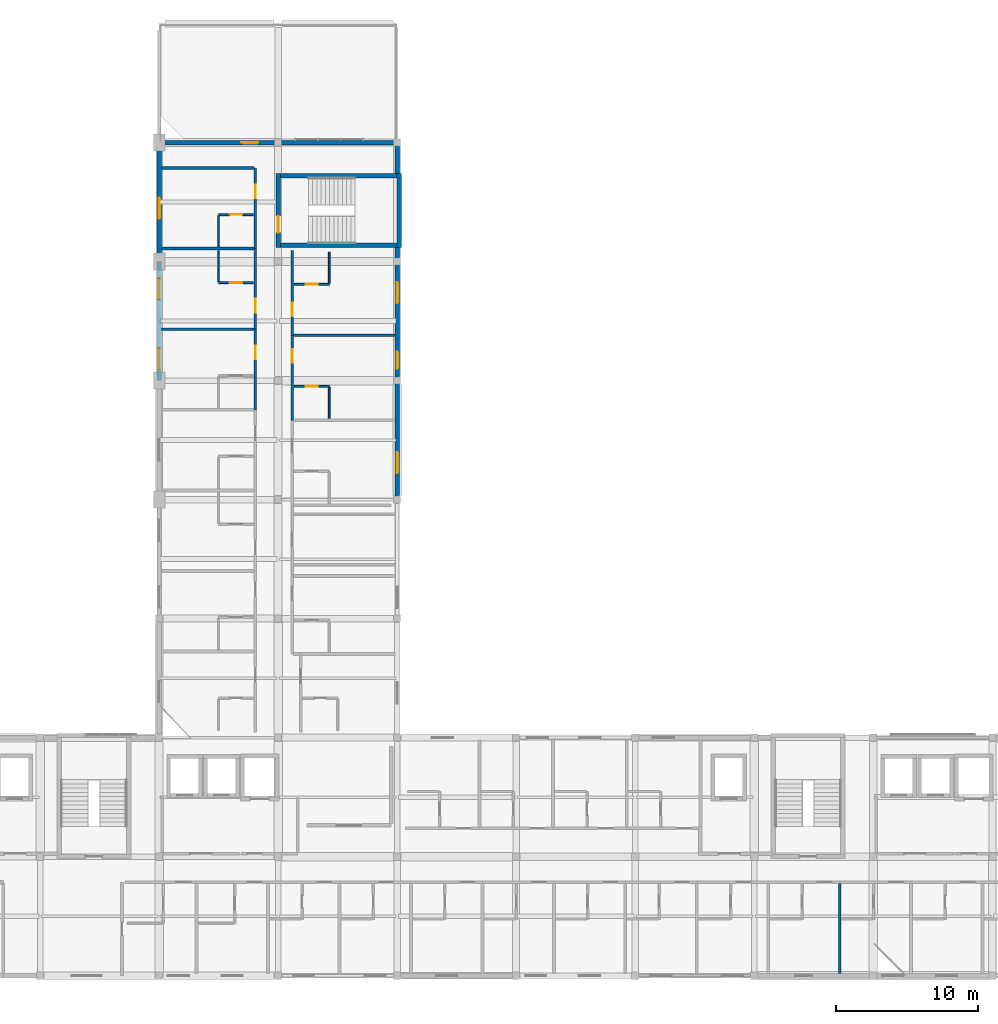
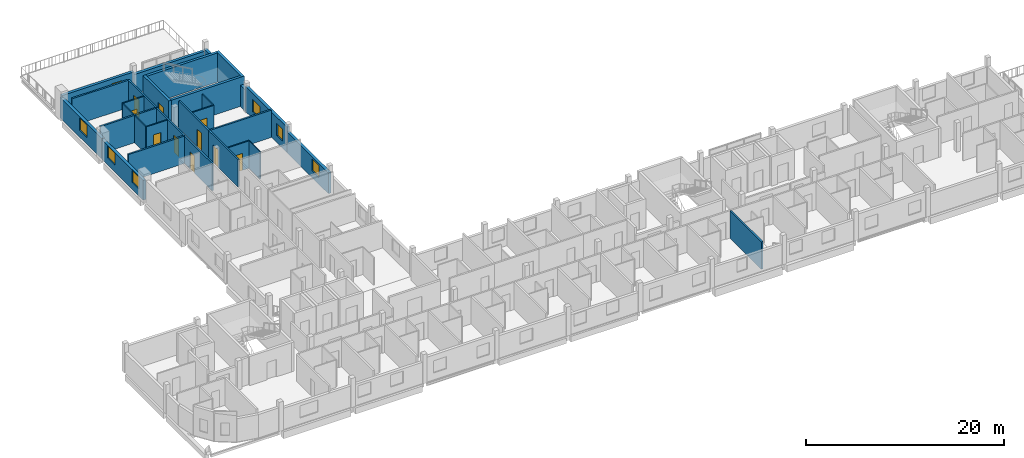
# One storey, part 14 of 20: 30 walls, 11 doors, 6 windows, 17 openings.
"""IFC4 building model written with IfcOpenShell, lengths in metres."""

from ifc_helpers import new_model, si_unit, derived_unit, direction, frame, frame_2d, origin, place, context, subcontext, project, spatial, rectangle, extrude, material, layer, layer_set, type_object, element, fill, save


model = new_model("IFC4")

# Units and contexts
model_context = context("Model", 3, precision=1e-05, world=origin(), true_north=direction((0.0, 1.0)))
body_context = subcontext(model_context, "Body", "Model", "MODEL_VIEW")
ifc_project = project(units=[si_unit("LENGTHUNIT", "METRE"), si_unit("AREAUNIT", "SQUARE_METRE"), si_unit("VOLUMEUNIT", "CUBIC_METRE"), si_unit("PLANEANGLEUNIT", "RADIAN"), si_unit("MASSUNIT", "GRAM", prefix="KILO"), derived_unit("THERMALTRANSMITTANCEUNIT", [(si_unit("POWERUNIT", "WATT"), 1), (si_unit("LENGTHUNIT", "METRE"), -2), (si_unit("THERMODYNAMICTEMPERATUREUNIT", "KELVIN"), -1)])], contexts=[model_context])

# Site, building, storey
site_placement = place(None, origin())
site = spatial("IfcSite", under=ifc_project, at=site_placement, CompositionType="ELEMENT")
building_placement = place(site_placement, origin())
building = spatial("IfcBuilding", under=site, at=building_placement, Name="Barrovel Congress Hotel", CompositionType="ELEMENT")
storey_placement = place(building_placement, frame((0.0, 0.0, 39.89990234375)))
storey = spatial("IfcBuildingStorey", under=building, at=storey_placement, Name="L10", CompositionType="ELEMENT", Elevation=39.89990234375)

# Walls
ifc_material_1 = material(Name="Fired Clay Brick Masonry", Category="masonry")
ifc_layer_1 = layer(ifc_material_1, 0.320068359375)
ifc_layer_set_1 = layer_set([ifc_layer_1], Name="Fired Clay Brick Masonry")
wall_type_1 = type_object("IfcWallType", Name="EW-BRK320", PredefinedType="STANDARD", material=ifc_layer_set_1)
wall_1_placement = place(storey_placement, frame((50.39990234375, 60.800048828125, 0.0), z_axis=(0.0, 0.0, 1.0), x_axis=(0.0, 1.0, 0.0)))
element("IfcWall", 1, at=wall_1_placement, inside=storey, type_object=wall_type_1, Name="EW:L10:HW-E-2", PredefinedType="STANDARD", context=body_context, shape_type="SweptSolid", body=[
    extrude(rectangle(XDim=2.199951171875, YDim=0.320068359375, at=frame_2d((1.10009765625, 0.0))), origin(), (0.0, 0.0, 1.0), 2.630126953125),
])
wall_2_placement = place(storey_placement, frame((50.39990234375, 63.0, 0.0), z_axis=(0.0, 0.0, 1.0), x_axis=(-1.0, 0.0, 0.0)))
element("IfcWall", 2, at=wall_2_placement, inside=storey, type_object=wall_type_1, Name="EW:L10:HW-N", PredefinedType="STANDARD", context=body_context, shape_type="SweptSolid", body=[
    extrude(rectangle(XDim=8.39990234375, YDim=0.320068359375, at=frame_2d((4.199951171875, 0.0))), origin(), (0.0, 0.0, 1.0), 2.43017578125),
])

# Wall, opening, window
wall_3_placement = place(storey_placement, frame((50.39990234375, 37.800048828125, 0.0), z_axis=(0.0, 0.0, 1.0), x_axis=(0.0, 1.0, 0.0)))
wall_3 = element("IfcWall", 3, at=wall_3_placement, inside=storey, type_object=wall_type_1, Name="EW:L10:HW-E-1:P02", PredefinedType="STANDARD", context=body_context, shape_type="SweptSolid", body=[
    extrude(rectangle(XDim=8.39990234375, YDim=0.320068359375, at=frame_2d((4.199951171875, 0.0))), origin(), (0.0, 0.0, 1.0), 2.580078125),
])
opening_1_placement = place(wall_3_placement, frame((1.85009765625, 0.0, 0.85009765625)))
opening_1 = element("IfcOpeningElement", 4, at=opening_1_placement, cuts=wall_3, Name="Opening WN-07", PredefinedType="OPENING", context=body_context, shape_type="SweptSolid", body=[
    extrude(rectangle(XDim=1.5, YDim=1.5, at=frame_2d((0.75, 0.75))), frame((0.0, 0.169921875, 0.0), z_axis=(0.0, -1.0, 0.0), x_axis=(1.0, 0.0, 0.0)), (0.0, 0.0, 1.0), 0.340087890625),
])
ifc_material_2 = material(Name="Double Low-E Insulated Glazing", Category="glass")
window_type_1 = type_object("IfcWindowType", Name="WIN-WN-07", PartitioningType="SINGLE_PANEL", PredefinedType="WINDOW", material=ifc_material_2)
window_1_placement = place(opening_1_placement, origin())
window_1 = element("IfcWindow", 5, at=window_1_placement, inside=storey, type_object=window_type_1, Name="WIN:L10:U34", OverallHeight=1.5, OverallWidth=1.5, PartitioningType="SINGLE_PANEL", PredefinedType="WINDOW", context=body_context, shape_type="SweptSolid", body=[
    extrude(rectangle(XDim=1.5, YDim=1.5, at=frame_2d((0.75, 0.75))), frame((0.0, 0.030029296875, 0.0), z_axis=(0.0, -1.0, 0.0), x_axis=(1.0, 0.0, 0.0)), (0.0, 0.0, 1.0), 0.06005859375),
])
fill(opening_1, window_1)

# Wall, openings, windows
wall_4_placement = place(storey_placement, frame((50.39990234375, 46.199951171875, 0.0), z_axis=(0.0, 0.0, 1.0), x_axis=(0.0, 1.0, 0.0)))
wall_4 = element("IfcWall", 6, at=wall_4_placement, inside=storey, type_object=wall_type_1, Name="EW:L10:HW-E-1:P03", PredefinedType="STANDARD", context=body_context, shape_type="SweptSolid", body=[
    extrude(rectangle(XDim=8.400146484375, YDim=0.320068359375, at=frame_2d((4.2001953125, 0.0))), origin(), (0.0, 0.0, 1.0), 3.1259765625),
])
opening_2_placement = place(wall_4_placement, frame((0.85009765625, 0.0, 0.85009765625)))
opening_2 = element("IfcOpeningElement", 7, at=opening_2_placement, cuts=wall_4, Name="Opening WN-06", PredefinedType="OPENING", context=body_context, shape_type="SweptSolid", body=[
    extrude(rectangle(XDim=1.199951171875, YDim=1.5, at=frame_2d((0.60009765625, 0.75))), frame((0.0, 0.169921875, 0.0), z_axis=(0.0, -1.0, 0.0), x_axis=(1.0, 0.0, 0.0)), (0.0, 0.0, 1.0), 0.340087890625),
])
opening_3_placement = place(wall_4_placement, frame((5.449951171875, 0.0, 0.85009765625)))
opening_3 = element("IfcOpeningElement", 8, at=opening_3_placement, cuts=wall_4, Name="Opening WN-07", PredefinedType="OPENING", context=body_context, shape_type="SweptSolid", body=[
    extrude(rectangle(XDim=1.5, YDim=1.5, at=frame_2d((0.75, 0.75))), frame((0.0, 0.169921875, 0.0), z_axis=(0.0, -1.0, 0.0), x_axis=(1.0, 0.0, 0.0)), (0.0, 0.0, 1.0), 0.340087890625),
])
window_type_2 = type_object("IfcWindowType", Name="WIN-WN-06", PartitioningType="SINGLE_PANEL", PredefinedType="WINDOW", material=ifc_material_2)
window_2_placement = place(opening_2_placement, origin())
window_2 = element("IfcWindow", 9, at=window_2_placement, inside=storey, type_object=window_type_2, Name="WIN:L10:U35", OverallHeight=1.5, OverallWidth=1.199951171875, PartitioningType="SINGLE_PANEL", PredefinedType="WINDOW", context=body_context, shape_type="SweptSolid", body=[
    extrude(rectangle(XDim=1.199951171875, YDim=1.5, at=frame_2d((0.60009765625, 0.75))), frame((0.0, 0.030029296875, 0.0), z_axis=(0.0, -1.0, 0.0), x_axis=(1.0, 0.0, 0.0)), (0.0, 0.0, 1.0), 0.06005859375),
])
fill(opening_2, window_2)
window_3_placement = place(opening_3_placement, origin())
window_3 = element("IfcWindow", 10, at=window_3_placement, inside=storey, type_object=window_type_1, Name="WIN:L10:U36", OverallHeight=1.5, OverallWidth=1.5, PartitioningType="SINGLE_PANEL", PredefinedType="WINDOW", context=body_context, shape_type="SweptSolid", body=[
    extrude(rectangle(XDim=1.5, YDim=1.5, at=frame_2d((0.75, 0.75))), frame((0.0, 0.030029296875, 0.0), z_axis=(0.0, -1.0, 0.0), x_axis=(1.0, 0.0, 0.0)), (0.0, 0.0, 1.0), 0.06005859375),
])
fill(opening_3, window_3)

# Wall
wall_5_placement = place(storey_placement, frame((50.39990234375, 54.60009765625, 0.0), z_axis=(0.0, 0.0, 1.0), x_axis=(0.0, 1.0, 0.0)))
element("IfcWall", 11, at=wall_5_placement, inside=storey, type_object=wall_type_1, Name="EW:L10:HW-E-1:P04", PredefinedType="STANDARD", context=body_context, shape_type="SweptSolid", body=[
    extrude(rectangle(XDim=1.0, YDim=0.320068359375, at=frame_2d((0.5, 0.0))), origin(), (0.0, 0.0, 1.0), 2.630126953125),
])

# Wall, opening, door
wall_6_placement = place(storey_placement, frame((42.0, 63.0, 0.0), z_axis=(0.0, 0.0, 1.0), x_axis=(-1.0, 0.0, 0.0)))
wall_6 = element("IfcWall", 12, at=wall_6_placement, inside=storey, type_object=wall_type_1, Name="EW:L10:HW-N:P02", PredefinedType="STANDARD", context=body_context, shape_type="SweptSolid", body=[
    extrude(rectangle(XDim=8.39990234375, YDim=0.320068359375, at=frame_2d((4.199951171875, 0.0))), origin(), (0.0, 0.0, 1.0), 2.780029296875),
])
opening_4_placement = place(wall_6_placement, frame((2.599853515625, 0.0, 0.0), z_axis=(0.0, 0.0, 1.0), x_axis=(-1.0, 0.0, 0.0)))
opening_4 = element("IfcOpeningElement", 13, at=opening_4_placement, cuts=wall_6, Name="Opening ED-04", PredefinedType="OPENING", context=body_context, shape_type="SweptSolid", body=[
    extrude(rectangle(XDim=1.199951171875, YDim=2.199951171875, at=frame_2d((0.60009765625, 1.10009765625))), frame((0.0, 0.169921875, 0.0), z_axis=(0.0, -1.0, 0.0), x_axis=(1.0, 0.0, 0.0)), (0.0, 0.0, 1.0), 0.340087890625),
])
ifc_material_3 = material(Name="Anodised Aluminium Glazed Door", Category="aluminium")
door_type_1 = type_object("IfcDoorType", Name="EDR-ED-04", OperationType="NOTDEFINED", PredefinedType="DOOR", material=ifc_material_3)
door_1_placement = place(opening_4_placement, origin())
door_1 = element("IfcDoor", 14, at=door_1_placement, inside=storey, type_object=door_type_1, Name="L10 North Setback Terrace Door", OperationType="SINGLE_SWING_RIGHT", OverallHeight=2.199951171875, OverallWidth=1.199951171875, PredefinedType="DOOR", context=body_context, shape_type="SweptSolid", body=[
    extrude(rectangle(XDim=1.199951171875, YDim=2.199951171875, at=frame_2d((0.60009765625, 1.10009765625))), frame((0.0, 0.02490234375, 0.0), z_axis=(0.0, -1.0, 0.0), x_axis=(1.0, 0.0, 0.0)), (0.0, 0.0, 1.0), 0.050048828125),
])
fill(opening_4, door_1)

# Wall, opening, window
wall_7_placement = place(storey_placement, frame((33.60009765625, 63.0, 0.0), z_axis=(0.0, 0.0, 1.0), x_axis=(0.0, -1.0, 0.0)))
wall_7 = element("IfcWall", 15, at=wall_7_placement, inside=storey, type_object=wall_type_1, Name="EW:L10:HW-W:P01", PredefinedType="STANDARD", context=body_context, shape_type="SweptSolid", body=[
    extrude(rectangle(XDim=8.39990234375, YDim=0.320068359375, at=frame_2d((4.199951171875, 0.0))), origin(), (0.0, 0.0, 1.0), 2.530029296875),
])
opening_5_placement = place(wall_7_placement, frame((3.892822265625, 0.0, 0.85009765625)))
opening_5 = element("IfcOpeningElement", 16, at=opening_5_placement, cuts=wall_7, Name="Opening WN-07", PredefinedType="OPENING", context=body_context, shape_type="SweptSolid", body=[
    extrude(rectangle(XDim=1.5, YDim=1.5, at=frame_2d((0.75, 0.75))), frame((0.0, 0.169921875, 0.0), z_axis=(0.0, -1.0, 0.0), x_axis=(1.0, 0.0, 0.0)), (0.0, 0.0, 1.0), 0.340087890625),
])
window_4_placement = place(opening_5_placement, origin())
window_4 = element("IfcWindow", 17, at=window_4_placement, inside=storey, type_object=window_type_1, Name="WIN:L10:U31", OverallHeight=1.5, OverallWidth=1.5, PartitioningType="SINGLE_PANEL", PredefinedType="WINDOW", context=body_context, shape_type="SweptSolid", body=[
    extrude(rectangle(XDim=1.5, YDim=1.5, at=frame_2d((0.75, 0.75))), frame((0.0, 0.030029296875, 0.0), z_axis=(0.0, -1.0, 0.0), x_axis=(1.0, 0.0, 0.0)), (0.0, 0.0, 1.0), 0.06005859375),
])
fill(opening_5, window_4)

# Wall, openings, windows
wall_8_placement = place(storey_placement, frame((33.60009765625, 54.60009765625, 0.0), z_axis=(0.0, 0.0, 1.0), x_axis=(0.0, -1.0, 0.0)))
wall_8 = element("IfcWall", 18, at=wall_8_placement, inside=storey, type_object=wall_type_1, Name="EW:L10:HW-W:P02", PredefinedType="STANDARD", context=body_context, shape_type="SweptSolid", body=[
    extrude(rectangle(XDim=8.400146484375, YDim=0.320068359375, at=frame_2d((4.2001953125, 0.0))), origin(), (0.0, 0.0, 1.0), 2.43017578125),
])
opening_6_placement = place(wall_8_placement, frame((6.1142578125, 0.0, 0.85009765625)))
opening_6 = element("IfcOpeningElement", 19, at=opening_6_placement, cuts=wall_8, Name="Opening WN-07", PredefinedType="OPENING", context=body_context, shape_type="SweptSolid", body=[
    extrude(rectangle(XDim=1.5, YDim=1.5, at=frame_2d((0.75, 0.75))), frame((0.0, 0.169921875, 0.0), z_axis=(0.0, -1.0, 0.0), x_axis=(1.0, 0.0, 0.0)), (0.0, 0.0, 1.0), 0.340087890625),
])
opening_7_placement = place(wall_8_placement, frame((1.178466796875, 0.0, 0.85009765625)))
opening_7 = element("IfcOpeningElement", 20, at=opening_7_placement, cuts=wall_8, Name="Opening WN-07", PredefinedType="OPENING", context=body_context, shape_type="SweptSolid", body=[
    extrude(rectangle(XDim=1.5, YDim=1.5, at=frame_2d((0.75, 0.75))), frame((0.0, 0.169921875, 0.0), z_axis=(0.0, -1.0, 0.0), x_axis=(1.0, 0.0, 0.0)), (0.0, 0.0, 1.0), 0.340087890625),
])
window_5_placement = place(opening_6_placement, origin())
window_5 = element("IfcWindow", 21, at=window_5_placement, inside=storey, type_object=window_type_1, Name="WIN:L10:U29", OverallHeight=1.5, OverallWidth=1.5, PartitioningType="SINGLE_PANEL", PredefinedType="WINDOW", context=body_context, shape_type="SweptSolid", body=[
    extrude(rectangle(XDim=1.5, YDim=1.5, at=frame_2d((0.75, 0.75))), frame((0.0, 0.030029296875, 0.0), z_axis=(0.0, -1.0, 0.0), x_axis=(1.0, 0.0, 0.0)), (0.0, 0.0, 1.0), 0.06005859375),
])
fill(opening_6, window_5)
window_6_placement = place(opening_7_placement, origin())
window_6 = element("IfcWindow", 22, at=window_6_placement, inside=storey, type_object=window_type_1, Name="WIN:L10:U30", OverallHeight=1.5, OverallWidth=1.5, PartitioningType="SINGLE_PANEL", PredefinedType="WINDOW", context=body_context, shape_type="SweptSolid", body=[
    extrude(rectangle(XDim=1.5, YDim=1.5, at=frame_2d((0.75, 0.75))), frame((0.0, 0.030029296875, 0.0), z_axis=(0.0, -1.0, 0.0), x_axis=(1.0, 0.0, 0.0)), (0.0, 0.0, 1.0), 0.06005859375),
])
fill(opening_7, window_6)

# Wall, opening, door
ifc_material_4 = material(Name="Gypsum Acoustic Stud", Category="gypsum")
ifc_layer_2 = layer(ifc_material_4, 0.179931640625)
ifc_layer_set_2 = layer_set([ifc_layer_2], Name="Gypsum Acoustic Stud")
wall_type_2 = type_object("IfcWallType", Name="PW-ACU-180", PredefinedType="PARTITIONING", material=ifc_layer_set_2)
wall_9_placement = place(storey_placement, frame((40.39990234375, 44.142822265625, 0.0), z_axis=(0.0, 0.0, 1.0), x_axis=(0.0, 1.0, 0.0)))
wall_9 = element("IfcWall", 23, at=wall_9_placement, inside=storey, type_object=wall_type_2, Name="PW:L10:U29:COR", PredefinedType="PARTITIONING", context=body_context, shape_type="SweptSolid", body=[
    extrude(rectangle(XDim=5.685791015625, YDim=0.179931640625, at=frame_2d((2.8427734375, 0.0))), origin(), (0.0, 0.0, 1.0), 3.375),
])
opening_8_placement = place(wall_9_placement, frame((3.5478515625, 0.0, 0.0)))
opening_8 = element("IfcOpeningElement", 24, at=opening_8_placement, cuts=wall_9, Name="Opening ID-HTL", PredefinedType="OPENING", context=body_context, shape_type="SweptSolid", body=[
    extrude(rectangle(XDim=0.9599609375, YDim=2.14990234375, at=frame_2d((0.47998046875, 1.074951171875))), frame((0.0, 0.10009765625, 0.0), z_axis=(0.0, -1.0, 0.0), x_axis=(1.0, 0.0, 0.0)), (0.0, 0.0, 1.0), 0.199951171875),
])
ifc_material_5 = material(Name="Solid Oak Acoustic Timber Door", Category="wood")
door_type_2 = type_object("IfcDoorType", Name="IDR-ID-HTL", OperationType="NOTDEFINED", PredefinedType="DOOR", material=ifc_material_5)
door_2_placement = place(opening_8_placement, origin())
door_2 = element("IfcDoor", 25, at=door_2_placement, inside=storey, type_object=door_type_2, Name="DR:L10:U29:ENT", OperationType="SINGLE_SWING_RIGHT", OverallHeight=2.14990234375, OverallWidth=0.9599609375, PredefinedType="DOOR", context=body_context, shape_type="SweptSolid", body=[
    extrude(rectangle(XDim=0.9599609375, YDim=2.14990234375, at=frame_2d((0.47998046875, 1.074951171875))), frame((0.0, 0.02490234375, 0.0), z_axis=(0.0, -1.0, 0.0), x_axis=(1.0, 0.0, 0.0)), (0.0, 0.0, 1.0), 0.050048828125),
])
fill(opening_8, door_2)

wall_10_placement = place(storey_placement, frame((40.39990234375, 49.82861328125, 0.0), z_axis=(0.0, 0.0, 1.0), x_axis=(0.0, 1.0, 0.0)))
wall_10 = element("IfcWall", 26, at=wall_10_placement, inside=storey, type_object=wall_type_2, Name="PW:L10:U30:COR", PredefinedType="PARTITIONING", context=body_context, shape_type="SweptSolid", body=[
    extrude(rectangle(XDim=5.685791015625, YDim=0.179931640625, at=frame_2d((2.8427734375, 0.0))), origin(), (0.0, 0.0, 1.0), 3.375),
])
opening_9_placement = place(wall_10_placement, frame((1.177978515625, 0.0, 0.0)))
opening_9 = element("IfcOpeningElement", 27, at=opening_9_placement, cuts=wall_10, Name="Opening ID-HTL", PredefinedType="OPENING", context=body_context, shape_type="SweptSolid", body=[
    extrude(rectangle(XDim=0.9599609375, YDim=2.14990234375, at=frame_2d((0.47998046875, 1.074951171875))), frame((0.0, 0.10009765625, 0.0), z_axis=(0.0, -1.0, 0.0), x_axis=(1.0, 0.0, 0.0)), (0.0, 0.0, 1.0), 0.199951171875),
])
door_3_placement = place(opening_9_placement, origin())
door_3 = element("IfcDoor", 28, at=door_3_placement, inside=storey, type_object=door_type_2, Name="DR:L10:U30:ENT", OperationType="SINGLE_SWING_RIGHT", OverallHeight=2.14990234375, OverallWidth=0.9599609375, PredefinedType="DOOR", context=body_context, shape_type="SweptSolid", body=[
    extrude(rectangle(XDim=0.9599609375, YDim=2.14990234375, at=frame_2d((0.47998046875, 1.074951171875))), frame((0.0, 0.02490234375, 0.0), z_axis=(0.0, -1.0, 0.0), x_axis=(1.0, 0.0, 0.0)), (0.0, 0.0, 1.0), 0.050048828125),
])
fill(opening_9, door_3)

wall_11_placement = place(storey_placement, frame((40.39990234375, 55.514404296875, 0.0), z_axis=(0.0, 0.0, 1.0), x_axis=(0.0, 1.0, 0.0)))
wall_11 = element("IfcWall", 29, at=wall_11_placement, inside=storey, type_object=wall_type_2, Name="PW:L10:U31:COR", PredefinedType="PARTITIONING", context=body_context, shape_type="SweptSolid", body=[
    extrude(rectangle(XDim=5.685546875, YDim=0.179931640625, at=frame_2d((2.8427734375, 0.0))), origin(), (0.0, 0.0, 1.0), 3.375),
])
opening_10_placement = place(wall_11_placement, frame((3.5478515625, 0.0, 0.0)))
opening_10 = element("IfcOpeningElement", 30, at=opening_10_placement, cuts=wall_11, Name="Opening ID-HTL", PredefinedType="OPENING", context=body_context, shape_type="SweptSolid", body=[
    extrude(rectangle(XDim=0.9599609375, YDim=2.14990234375, at=frame_2d((0.47998046875, 1.074951171875))), frame((0.0, 0.10009765625, 0.0), z_axis=(0.0, -1.0, 0.0), x_axis=(1.0, 0.0, 0.0)), (0.0, 0.0, 1.0), 0.199951171875),
])
door_4_placement = place(opening_10_placement, origin())
door_4 = element("IfcDoor", 31, at=door_4_placement, inside=storey, type_object=door_type_2, Name="DR:L10:U31:ENT", OperationType="SINGLE_SWING_RIGHT", OverallHeight=2.14990234375, OverallWidth=0.9599609375, PredefinedType="DOOR", context=body_context, shape_type="SweptSolid", body=[
    extrude(rectangle(XDim=0.9599609375, YDim=2.14990234375, at=frame_2d((0.47998046875, 1.074951171875))), frame((0.0, 0.02490234375, 0.0), z_axis=(0.0, -1.0, 0.0), x_axis=(1.0, 0.0, 0.0)), (0.0, 0.0, 1.0), 0.050048828125),
])
fill(opening_10, door_4)

wall_12_placement = place(storey_placement, frame((43.0, 43.39990234375, 0.0), z_axis=(0.0, 0.0, 1.0), x_axis=(0.0, 1.0, 0.0)))
wall_12 = element("IfcWall", 32, at=wall_12_placement, inside=storey, type_object=wall_type_2, Name="PW:L10:U35:COR", PredefinedType="PARTITIONING", context=body_context, shape_type="SweptSolid", body=[
    extrude(rectangle(XDim=6.0, YDim=0.179931640625, at=frame_2d((3.0, 0.0))), origin(), (0.0, 0.0, 1.0), 3.375),
])
opening_11_placement = place(wall_12_placement, frame((4.054931640625, 0.0, 0.0)))
opening_11 = element("IfcOpeningElement", 33, at=opening_11_placement, cuts=wall_12, Name="Opening ID-HTL", PredefinedType="OPENING", context=body_context, shape_type="SweptSolid", body=[
    extrude(rectangle(XDim=0.9599609375, YDim=2.14990234375, at=frame_2d((0.47998046875, 1.074951171875))), frame((0.0, 0.10009765625, 0.0), z_axis=(0.0, -1.0, 0.0), x_axis=(1.0, 0.0, 0.0)), (0.0, 0.0, 1.0), 0.199951171875),
])
door_5_placement = place(opening_11_placement, origin())
door_5 = element("IfcDoor", 34, at=door_5_placement, inside=storey, type_object=door_type_2, Name="DR:L10:U35:ENT", OperationType="SINGLE_SWING_RIGHT", OverallHeight=2.14990234375, OverallWidth=0.9599609375, PredefinedType="DOOR", context=body_context, shape_type="SweptSolid", body=[
    extrude(rectangle(XDim=0.9599609375, YDim=2.14990234375, at=frame_2d((0.47998046875, 1.074951171875))), frame((0.0, 0.02490234375, 0.0), z_axis=(0.0, -1.0, 0.0), x_axis=(1.0, 0.0, 0.0)), (0.0, 0.0, 1.0), 0.050048828125),
])
fill(opening_11, door_5)

wall_13_placement = place(storey_placement, frame((43.0, 49.39990234375, 0.0), z_axis=(0.0, 0.0, 1.0), x_axis=(0.0, 1.0, 0.0)))
wall_13 = element("IfcWall", 35, at=wall_13_placement, inside=storey, type_object=wall_type_2, Name="PW:L10:U36:COR", PredefinedType="PARTITIONING", context=body_context, shape_type="SweptSolid", body=[
    extrude(rectangle(XDim=6.0, YDim=0.179931640625, at=frame_2d((3.0, 0.0))), origin(), (0.0, 0.0, 1.0), 3.375),
])
opening_12_placement = place(wall_13_placement, frame((1.3349609375, 0.0, 0.0)))
opening_12 = element("IfcOpeningElement", 36, at=opening_12_placement, cuts=wall_13, Name="Opening ID-HTL", PredefinedType="OPENING", context=body_context, shape_type="SweptSolid", body=[
    extrude(rectangle(XDim=0.9599609375, YDim=2.14990234375, at=frame_2d((0.47998046875, 1.074951171875))), frame((0.0, 0.10009765625, 0.0), z_axis=(0.0, -1.0, 0.0), x_axis=(1.0, 0.0, 0.0)), (0.0, 0.0, 1.0), 0.199951171875),
])
door_6_placement = place(opening_12_placement, origin())
door_6 = element("IfcDoor", 37, at=door_6_placement, inside=storey, type_object=door_type_2, Name="DR:L10:U36:ENT", OperationType="SINGLE_SWING_RIGHT", OverallHeight=2.14990234375, OverallWidth=0.9599609375, PredefinedType="DOOR", context=body_context, shape_type="SweptSolid", body=[
    extrude(rectangle(XDim=0.9599609375, YDim=2.14990234375, at=frame_2d((0.47998046875, 1.074951171875))), frame((0.0, 0.02490234375, 0.0), z_axis=(0.0, -1.0, 0.0), x_axis=(1.0, 0.0, 0.0)), (0.0, 0.0, 1.0), 0.050048828125),
])
fill(opening_12, door_6)

# Walls
ifc_layer_3 = layer(ifc_material_4, 0.1201171875)
ifc_layer_set_3 = layer_set([ifc_layer_3], Name="Gypsum Acoustic Stud")
wall_type_3 = type_object("IfcWallType", Name="PW-INT-120", PredefinedType="PARTITIONING", material=ifc_layer_set_3)
for number, where, z_axis, x_axis, name in (
    (38, (37.800048828125, 53.184326171875, 0.0), (0.0, 0.0, 1.0), (0.0, 1.0, 0.0), "PW:L10:U30:B2"),
    (39, (37.800048828125, 55.654296875, 0.0), (0.0, 0.0, 1.0), (0.0, 1.0, 0.0), "PW:L10:U31:B2"),
    (40, (45.60009765625, 43.5400390625, 0.0), (0.0, 0.0, 1.0), (0.0, 1.0, 0.0), "PW:L10:U35:B2"),
    (41, (45.60009765625, 53.070068359375, 0.0), (0.0, 0.0, 1.0), (0.0, 1.0, 0.0), "PW:L10:U36:B2"),
):
    element("IfcWall", number, at=place(storey_placement, frame(where, z_axis=z_axis, x_axis=x_axis)), inside=storey, type_object=wall_type_3, Name=name, PredefinedType="PARTITIONING", context=body_context, shape_type="SweptSolid", body=[
        extrude(rectangle(XDim=2.18994140625, YDim=0.1201171875, at=frame_2d((1.094970703125, 0.0))), origin(), (0.0, 0.0, 1.0), 3.375),
    ])
ifc_layer_4 = layer(ifc_material_1, 0.199951171875)
ifc_layer_set_4 = layer_set([ifc_layer_4], Name="Fired Clay Brick Masonry")
wall_type_4 = type_object("IfcWallType", Name="PW-MAS-200", PredefinedType="PARTITIONING", material=ifc_layer_set_4)
wall_14_placement = place(storey_placement, frame((81.628662109375, 4.360107421875, 0.0), z_axis=(0.0, 0.0, 1.0), x_axis=(0.0, 1.0, 0.0)))
element("IfcWall", 42, at=wall_14_placement, inside=storey, type_object=wall_type_4, Name="PW:L10:U11:DEM", PredefinedType="PARTITIONING", context=body_context, shape_type="SweptSolid", body=[
    extrude(rectangle(XDim=6.349853515625, YDim=0.199951171875, at=frame_2d((3.1748046875, 0.0))), origin(), (0.0, 0.0, 1.0), 3.375),
])
for number, where, z_axis, x_axis, name in (
    (43, (33.760009765625, 49.82861328125, 0.0), (0.0, 0.0, 1.0), (1.0, 0.0, 0.0), "PW:L10:U29:DEM"),
    (44, (33.760009765625, 55.514404296875, 0.0), (0.0, 0.0, 1.0), (1.0, 0.0, 0.0), "PW:L10:U30:DEM"),
    (45, (33.760009765625, 61.199951171875, 0.0), (0.0, 0.0, 1.0), (1.0, 0.0, 0.0), "PW:L10:U31:DEM"),
):
    element("IfcWall", number, at=place(storey_placement, frame(where, z_axis=z_axis, x_axis=x_axis)), inside=storey, type_object=wall_type_4, Name=name, PredefinedType="PARTITIONING", context=body_context, shape_type="SweptSolid", body=[
        extrude(rectangle(XDim=6.550048828125, YDim=0.199951171875, at=frame_2d((3.27490234375, 0.0))), origin(), (0.0, 0.0, 1.0), 3.375),
    ])
wall_15_placement = place(storey_placement, frame((43.090087890625, 49.39990234375, 0.0), z_axis=(0.0, 0.0, 1.0), x_axis=(1.0, 0.0, 0.0)))
element("IfcWall", 46, at=wall_15_placement, inside=storey, type_object=wall_type_4, Name="PW:L10:U35:DEM", PredefinedType="PARTITIONING", context=body_context, shape_type="SweptSolid", body=[
    extrude(rectangle(XDim=7.14990234375, YDim=0.199951171875, at=frame_2d((3.574951171875, 0.0))), origin(), (0.0, 0.0, 1.0), 3.375),
])

# Wall, opening, door
ifc_material_6 = material(Name="Gypsum Moisture Board", Category="gypsum")
ifc_layer_5 = layer(ifc_material_6, 0.139892578125)
ifc_layer_set_5 = layer_set([ifc_layer_5], Name="Gypsum Moisture Board")
wall_type_5 = type_object("IfcWallType", Name="PW-WET-140", PredefinedType="PARTITIONING", material=ifc_layer_set_5)
wall_16_placement = place(storey_placement, frame((37.800048828125, 53.1142578125, 0.0), z_axis=(0.0, 0.0, 1.0), x_axis=(1.0, 0.0, 0.0)))
wall_16 = element("IfcWall", 47, at=wall_16_placement, inside=storey, type_object=wall_type_5, Name="PW:L10:U30:B1", PredefinedType="PARTITIONING", context=body_context, shape_type="SweptSolid", body=[
    extrude(rectangle(XDim=2.4599609375, YDim=0.139892578125, at=frame_2d((1.22998046875, 0.0))), origin(), (0.0, 0.0, 1.0), 3.375),
])
opening_13_placement = place(wall_16_placement, frame((0.800048828125, 0.0, 0.0)))
opening_13 = element("IfcOpeningElement", 48, at=opening_13_placement, cuts=wall_16, Name="Opening ID-ENS", PredefinedType="OPENING", context=body_context, shape_type="SweptSolid", body=[
    extrude(rectangle(XDim=0.860107421875, YDim=2.10009765625, at=frame_2d((0.43017578125, 1.050048828125))), frame((0.0, 0.080078125, 0.0), z_axis=(0.0, -1.0, 0.0), x_axis=(1.0, 0.0, 0.0)), (0.0, 0.0, 1.0), 0.159912109375),
])
ifc_material_7 = material(Name="Lacquered Timber Moisture Door", Category="wood")
door_type_3 = type_object("IfcDoorType", Name="IDR-ID-ENS", OperationType="NOTDEFINED", PredefinedType="DOOR", material=ifc_material_7)
door_7_placement = place(opening_13_placement, origin())
door_7 = element("IfcDoor", 49, at=door_7_placement, inside=storey, type_object=door_type_3, Name="DR:L10:U30:ENS", OperationType="SINGLE_SWING_LEFT", OverallHeight=2.10009765625, OverallWidth=0.860107421875, PredefinedType="DOOR", context=body_context, shape_type="SweptSolid", body=[
    extrude(rectangle(XDim=0.860107421875, YDim=2.10009765625, at=frame_2d((0.43017578125, 1.050048828125))), frame((0.0, 0.02490234375, 0.0), z_axis=(0.0, -1.0, 0.0), x_axis=(1.0, 0.0, 0.0)), (0.0, 0.0, 1.0), 0.050048828125),
])
fill(opening_13, door_7)

wall_17_placement = place(storey_placement, frame((37.800048828125, 57.914306640625, 0.0), z_axis=(0.0, 0.0, 1.0), x_axis=(1.0, 0.0, 0.0)))
wall_17 = element("IfcWall", 50, at=wall_17_placement, inside=storey, type_object=wall_type_5, Name="PW:L10:U31:B1", PredefinedType="PARTITIONING", context=body_context, shape_type="SweptSolid", body=[
    extrude(rectangle(XDim=2.4599609375, YDim=0.139892578125, at=frame_2d((1.22998046875, 0.0))), origin(), (0.0, 0.0, 1.0), 3.375),
])
opening_14_placement = place(wall_17_placement, frame((0.800048828125, 0.0, 0.0)))
opening_14 = element("IfcOpeningElement", 51, at=opening_14_placement, cuts=wall_17, Name="Opening ID-ENS", PredefinedType="OPENING", context=body_context, shape_type="SweptSolid", body=[
    extrude(rectangle(XDim=0.860107421875, YDim=2.10009765625, at=frame_2d((0.43017578125, 1.050048828125))), frame((0.0, 0.080078125, 0.0), z_axis=(0.0, -1.0, 0.0), x_axis=(1.0, 0.0, 0.0)), (0.0, 0.0, 1.0), 0.159912109375),
])
door_8_placement = place(opening_14_placement, origin())
door_8 = element("IfcDoor", 52, at=door_8_placement, inside=storey, type_object=door_type_3, Name="DR:L10:U31:ENS", OperationType="SINGLE_SWING_LEFT", OverallHeight=2.10009765625, OverallWidth=0.860107421875, PredefinedType="DOOR", context=body_context, shape_type="SweptSolid", body=[
    extrude(rectangle(XDim=0.860107421875, YDim=2.10009765625, at=frame_2d((0.43017578125, 1.050048828125))), frame((0.0, 0.02490234375, 0.0), z_axis=(0.0, -1.0, 0.0), x_axis=(1.0, 0.0, 0.0)), (0.0, 0.0, 1.0), 0.050048828125),
])
fill(opening_14, door_8)

wall_18_placement = place(storey_placement, frame((43.139892578125, 45.800048828125, 0.0), z_axis=(0.0, 0.0, 1.0), x_axis=(1.0, 0.0, 0.0)))
wall_18 = element("IfcWall", 53, at=wall_18_placement, inside=storey, type_object=wall_type_5, Name="PW:L10:U35:B1", PredefinedType="PARTITIONING", context=body_context, shape_type="SweptSolid", body=[
    extrude(rectangle(XDim=2.460205078125, YDim=0.139892578125, at=frame_2d((1.22998046875, 0.0))), origin(), (0.0, 0.0, 1.0), 3.375),
])
opening_15_placement = place(wall_18_placement, frame((0.800048828125, 0.0, 0.0)))
opening_15 = element("IfcOpeningElement", 54, at=opening_15_placement, cuts=wall_18, Name="Opening ID-ENS", PredefinedType="OPENING", context=body_context, shape_type="SweptSolid", body=[
    extrude(rectangle(XDim=0.860107421875, YDim=2.10009765625, at=frame_2d((0.43017578125, 1.050048828125))), frame((0.0, 0.080078125, 0.0), z_axis=(0.0, -1.0, 0.0), x_axis=(1.0, 0.0, 0.0)), (0.0, 0.0, 1.0), 0.159912109375),
])
door_9_placement = place(opening_15_placement, origin())
door_9 = element("IfcDoor", 55, at=door_9_placement, inside=storey, type_object=door_type_3, Name="DR:L10:U35:ENS", OperationType="SINGLE_SWING_LEFT", OverallHeight=2.10009765625, OverallWidth=0.860107421875, PredefinedType="DOOR", context=body_context, shape_type="SweptSolid", body=[
    extrude(rectangle(XDim=0.860107421875, YDim=2.10009765625, at=frame_2d((0.43017578125, 1.050048828125))), frame((0.0, 0.02490234375, 0.0), z_axis=(0.0, -1.0, 0.0), x_axis=(1.0, 0.0, 0.0)), (0.0, 0.0, 1.0), 0.050048828125),
])
fill(opening_15, door_9)

wall_19_placement = place(storey_placement, frame((43.139892578125, 53.0, 0.0), z_axis=(0.0, 0.0, 1.0), x_axis=(1.0, 0.0, 0.0)))
wall_19 = element("IfcWall", 56, at=wall_19_placement, inside=storey, type_object=wall_type_5, Name="PW:L10:U36:B1", PredefinedType="PARTITIONING", context=body_context, shape_type="SweptSolid", body=[
    extrude(rectangle(XDim=2.460205078125, YDim=0.139892578125, at=frame_2d((1.22998046875, 0.0))), origin(), (0.0, 0.0, 1.0), 3.375),
])
opening_16_placement = place(wall_19_placement, frame((0.800048828125, 0.0, 0.0)))
opening_16 = element("IfcOpeningElement", 57, at=opening_16_placement, cuts=wall_19, Name="Opening ID-ENS", PredefinedType="OPENING", context=body_context, shape_type="SweptSolid", body=[
    extrude(rectangle(XDim=0.860107421875, YDim=2.10009765625, at=frame_2d((0.43017578125, 1.050048828125))), frame((0.0, 0.080078125, 0.0), z_axis=(0.0, -1.0, 0.0), x_axis=(1.0, 0.0, 0.0)), (0.0, 0.0, 1.0), 0.159912109375),
])
door_10_placement = place(opening_16_placement, origin())
door_10 = element("IfcDoor", 58, at=door_10_placement, inside=storey, type_object=door_type_3, Name="DR:L10:U36:ENS", OperationType="SINGLE_SWING_LEFT", OverallHeight=2.10009765625, OverallWidth=0.860107421875, PredefinedType="DOOR", context=body_context, shape_type="SweptSolid", body=[
    extrude(rectangle(XDim=0.860107421875, YDim=2.10009765625, at=frame_2d((0.43017578125, 1.050048828125))), frame((0.0, 0.02490234375, 0.0), z_axis=(0.0, -1.0, 0.0), x_axis=(1.0, 0.0, 0.0)), (0.0, 0.0, 1.0), 0.050048828125),
])
fill(opening_16, door_10)

# Walls
ifc_material_8 = material(Name="Concrete C40", Category="concrete")
ifc_layer_6 = layer(ifc_material_8, 0.300048828125)
ifc_layer_set_6 = layer_set([ifc_layer_6], Name="Concrete C40")
wall_type_6 = type_object("IfcWallType", Name="SW-C40-300", PredefinedType="SHEAR", material=ifc_layer_set_6)
wall_20_placement = place(storey_placement, frame((41.860107421875, 55.75, 0.0), z_axis=(0.0, 0.0, 1.0), x_axis=(1.0, 0.0, 0.0)))
element("IfcWall", 59, at=wall_20_placement, inside=storey, type_object=wall_type_6, Name="SHW:XS-05:L10:S", PredefinedType="SHEAR", context=body_context, shape_type="SweptSolid", body=[
    extrude(rectangle(XDim=8.83984375, YDim=0.300048828125, at=frame_2d((4.419921875, 0.0))), origin(), (0.0, 0.0, 1.0), 3.60009765625),
])
wall_21_placement = place(storey_placement, frame((50.550048828125, 55.60009765625, 0.0), z_axis=(0.0, 0.0, 1.0), x_axis=(0.0, 1.0, 0.0)))
element("IfcWall", 60, at=wall_21_placement, inside=storey, type_object=wall_type_6, Name="SHW:XS-05:L10:E", PredefinedType="SHEAR", context=body_context, shape_type="SweptSolid", body=[
    extrude(rectangle(XDim=5.199951171875, YDim=0.300048828125, at=frame_2d((2.60009765625, 0.0))), origin(), (0.0, 0.0, 1.0), 3.60009765625),
])
wall_22_placement = place(storey_placement, frame((50.699951171875, 60.64990234375, 0.0), z_axis=(0.0, 0.0, 1.0), x_axis=(-1.0, 0.0, 0.0)))
element("IfcWall", 61, at=wall_22_placement, inside=storey, type_object=wall_type_6, Name="SHW:XS-05:L10:N", PredefinedType="SHEAR", context=body_context, shape_type="SweptSolid", body=[
    extrude(rectangle(XDim=8.83984375, YDim=0.300048828125, at=frame_2d((4.419921875, 0.0))), origin(), (0.0, 0.0, 1.0), 3.60009765625),
])

# Wall, opening, door
wall_23_placement = place(storey_placement, frame((42.010009765625, 60.800048828125, 0.0), z_axis=(0.0, 0.0, 1.0), x_axis=(0.0, -1.0, 0.0)))
wall_23 = element("IfcWall", 62, at=wall_23_placement, inside=storey, type_object=wall_type_6, Name="SHW:XS-05:L10:W", PredefinedType="SHEAR", context=body_context, shape_type="SweptSolid", body=[
    extrude(rectangle(XDim=5.199951171875, YDim=0.300048828125, at=frame_2d((2.60009765625, 0.0))), origin(), (0.0, 0.0, 1.0), 3.60009765625),
])
opening_17_placement = place(wall_23_placement, frame((3.0, 0.0, 0.0)))
opening_17 = element("IfcOpeningElement", 63, at=opening_17_placement, cuts=wall_23, Name="Opening ID-ST1", PredefinedType="OPENING", context=body_context, shape_type="SweptSolid", body=[
    extrude(rectangle(XDim=1.14990234375, YDim=2.14990234375, at=frame_2d((0.574951171875, 1.074951171875))), frame((0.0, 0.16015625, 0.0), z_axis=(0.0, -1.0, 0.0), x_axis=(1.0, 0.0, 0.0)), (0.0, 0.0, 1.0), 0.320068359375),
])
ifc_material_9 = material(Name="Painted Hollow-Metal Steel Door", Category="steel")
door_type_4 = type_object("IfcDoorType", Name="IDR-ID-ST1", OperationType="NOTDEFINED", PredefinedType="DOOR", material=ifc_material_9)
door_11_placement = place(opening_17_placement, origin())
door_11 = element("IfcDoor", 64, at=door_11_placement, inside=storey, type_object=door_type_4, Name="Stair Core Fire Door XS-05-L10", OperationType="SINGLE_SWING_LEFT", OverallHeight=2.14990234375, OverallWidth=1.14990234375, PredefinedType="DOOR", context=body_context, shape_type="SweptSolid", body=[
    extrude(rectangle(XDim=1.14990234375, YDim=2.14990234375, at=frame_2d((0.574951171875, 1.074951171875))), frame((0.0, 0.02490234375, 0.0), z_axis=(0.0, -1.0, 0.0), x_axis=(1.0, 0.0, 0.0)), (0.0, 0.0, 1.0), 0.050048828125),
])
fill(opening_17, door_11)

save(model, "model.ifc")
